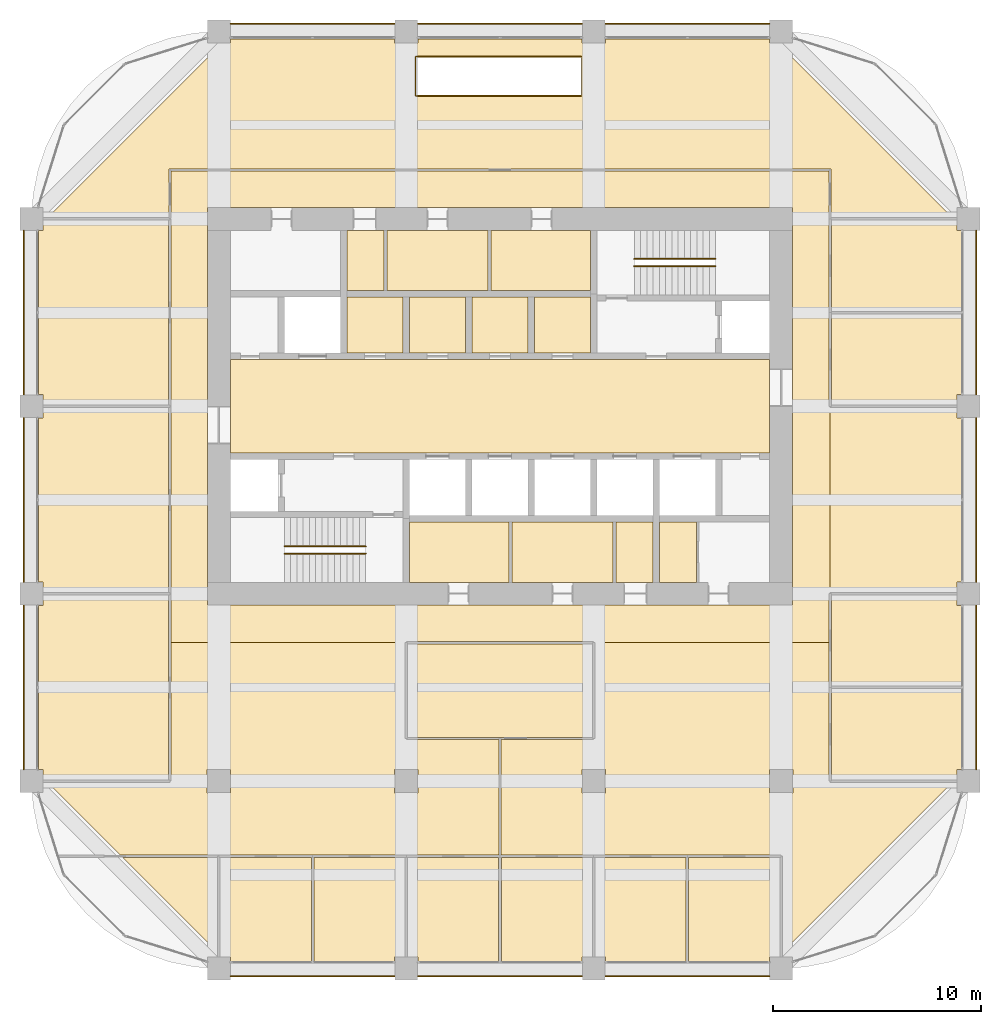
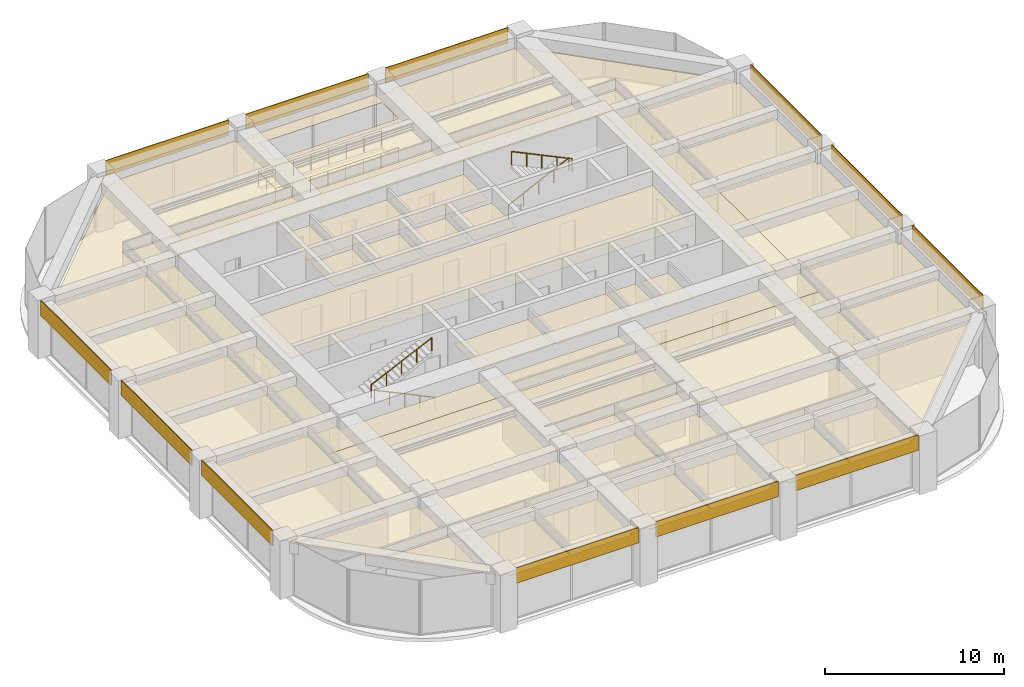
# One storey, part 44 of 44: 44 coverings, 5 railings.
"""IFC4 building model written with IfcOpenShell, lengths in metres."""

from ifc_helpers import new_model, si_unit, direction, frame, frame_2d, origin, origin_2d, place, context, subcontext, project, spatial, polyline, rectangle, circle, outline, extrude, material, layer, layer_set, type_object, element, save


model = new_model("IFC4")

# Units and contexts
model_context = context("Model", 3, precision=1e-05, world=origin(), true_north=direction((0.0, 1.0)))
body_context = subcontext(model_context, "Body", "Model", "MODEL_VIEW")
ifc_project = project(units=[si_unit("LENGTHUNIT", "METRE"), si_unit("AREAUNIT", "SQUARE_METRE"), si_unit("VOLUMEUNIT", "CUBIC_METRE"), si_unit("PLANEANGLEUNIT", "RADIAN"), si_unit("MASSUNIT", "GRAM", prefix="KILO")], contexts=[model_context])

# Site, building, storey
site_placement = place(None, origin())
site = spatial("IfcSite", under=ifc_project, at=site_placement, CompositionType="ELEMENT")
building_placement = place(site_placement, origin())
building = spatial("IfcBuilding", under=site, at=building_placement, Name="Zorevar Civic Tower", CompositionType="ELEMENT")
storey_placement = place(building_placement, frame((0.0, 0.0, 295.39990234375)))
storey = spatial("IfcBuildingStorey", under=building, at=storey_placement, Name="L72", CompositionType="ELEMENT", Elevation=295.39990234375)

# Railings
ifc_material_1 = material(Name="Laminated glass balustrade with black steel handrail", Category="steel")
railing_type_1 = type_object("IfcRailingType", Name="Balustrade BL1 1100", PredefinedType="BALUSTRADE", material=ifc_material_1)
railing_1_placement = place(storey_placement, frame((35.39990234375, 41.89990234375, 0.0)))
element("IfcRailing", 1, at=railing_1_placement, inside=storey, type_object=railing_type_1, Name="Balustrade BL1 stair void L72", PredefinedType="BALUSTRADE", context=body_context, shape_type="SweptSolid", body=[
    extrude(circle(Radius=0.02392578125, at=origin_2d()), frame((0.0, 0.0, 1.076171875), z_axis=(-1.0, 0.0, 0.0), x_axis=(0.0, -1.0, 0.0)), (0.0, 0.0, 1.0), 7.949951171875),
    extrude(circle(Radius=0.02392578125, at=origin_2d()), frame((-7.949951171875, 0.0, 1.076171875), z_axis=(0.0, 1.0, 0.0), x_axis=(-1.0, 0.0, 0.0)), (0.0, 0.0, 1.0), 1.900146484375),
    extrude(circle(Radius=0.02392578125, at=origin_2d()), frame((-7.949951171875, 1.900146484375, 1.076171875), z_axis=(1.0, 0.0, 0.0), x_axis=(0.0, 1.0, 0.0)), (0.0, 0.0, 1.0), 7.949951171875),
    extrude(circle(Radius=0.02099609375, at=origin_2d()), origin(), (0.0, 0.0, 1.0), 1.052001953125),
    extrude(circle(Radius=0.02099609375, at=origin_2d()), frame((-1.1357421875, 0.0, 0.0)), (0.0, 0.0, 1.0), 1.052001953125),
    extrude(circle(Radius=0.02099609375, at=origin_2d()), frame((-2.271484375, 0.0, 0.0)), (0.0, 0.0, 1.0), 1.052001953125),
    extrude(circle(Radius=0.02099609375, at=origin_2d()), frame((-3.4072265625, 0.0, 0.0)), (0.0, 0.0, 1.0), 1.052001953125),
    extrude(circle(Radius=0.02099609375, at=origin_2d()), frame((-4.542724609375, 0.0, 0.0)), (0.0, 0.0, 1.0), 1.052001953125),
    extrude(circle(Radius=0.02099609375, at=origin_2d()), frame((-5.678466796875, 0.0, 0.0)), (0.0, 0.0, 1.0), 1.052001953125),
    extrude(circle(Radius=0.02099609375, at=origin_2d()), frame((-6.814208984375, 0.0, 0.0)), (0.0, 0.0, 1.0), 1.052001953125),
    extrude(circle(Radius=0.02099609375, at=origin_2d()), frame((-7.949951171875, 0.0, 0.0)), (0.0, 0.0, 1.0), 1.052001953125),
    extrude(circle(Radius=0.02099609375, at=origin_2d()), frame((-7.949951171875, 0.9501953125, 0.0)), (0.0, 0.0, 1.0), 1.052001953125),
    extrude(circle(Radius=0.02099609375, at=origin_2d()), frame((-7.949951171875, 1.900146484375, 0.0)), (0.0, 0.0, 1.0), 1.052001953125),
    extrude(circle(Radius=0.02099609375, at=origin_2d()), frame((-6.814208984375, 1.900146484375, 0.0)), (0.0, 0.0, 1.0), 1.052001953125),
    extrude(circle(Radius=0.02099609375, at=origin_2d()), frame((-5.678466796875, 1.900146484375, 0.0)), (0.0, 0.0, 1.0), 1.052001953125),
    extrude(circle(Radius=0.02099609375, at=origin_2d()), frame((-4.542724609375, 1.900146484375, 0.0)), (0.0, 0.0, 1.0), 1.052001953125),
    extrude(circle(Radius=0.02099609375, at=origin_2d()), frame((-3.4072265625, 1.900146484375, 0.0)), (0.0, 0.0, 1.0), 1.052001953125),
    extrude(circle(Radius=0.02099609375, at=origin_2d()), frame((-2.271484375, 1.900146484375, 0.0)), (0.0, 0.0, 1.0), 1.052001953125),
    extrude(circle(Radius=0.02099609375, at=origin_2d()), frame((-1.1357421875, 1.900146484375, 0.0)), (0.0, 0.0, 1.0), 1.052001953125),
    extrude(circle(Radius=0.02099609375, at=origin_2d()), frame((0.0, 1.900146484375, 0.0)), (0.0, 0.0, 1.0), 1.052001953125),
])
ifc_material_2 = material(Name="Black steel handrail", Category="steel")
railing_type_2 = type_object("IfcRailingType", Name="Handrail HR1 900", PredefinedType="HANDRAIL", material=ifc_material_2)
railing_2_placement = place(storey_placement, frame((25.050048828125, 19.925048828125, 0.14306640625)))
element("IfcRailing", 2, at=railing_2_placement, inside=storey, type_object=railing_type_2, Name="Handrail HR1 ST1 L72", PredefinedType="HANDRAIL", context=body_context, shape_type="SweptSolid", body=[
    extrude(circle(Radius=0.02392578125, at=origin_2d()), frame((0.0, 0.0, 0.8759765625), z_axis=(-0.902885590262, 0.0, 0.429880926418), x_axis=(0.0, -1.0, 0.0)), (0.0, 0.0, 1.0), 4.319580078125),
    extrude(circle(Radius=0.02099609375, at=origin_2d()), origin(), (0.0, 0.0, 1.0), 0.851806640625),
    extrude(circle(Radius=0.02099609375, at=origin_2d()), frame((-0.97509765625, 0.0, 0.46435546875)), (0.0, 0.0, 1.0), 0.851806640625),
    extrude(circle(Radius=0.02099609375, at=origin_2d()), frame((-1.9501953125, 0.0, 0.928466796875)), (0.0, 0.0, 1.0), 0.851806640625),
    extrude(circle(Radius=0.02099609375, at=origin_2d()), frame((-2.925048828125, 0.0, 1.392578125)), (0.0, 0.0, 1.0), 0.851806640625),
    extrude(circle(Radius=0.02099609375, at=origin_2d()), frame((-3.900146484375, 0.0, 1.85693359375)), (0.0, 0.0, 1.0), 0.851806640625),
])
for number, where, name in (
    (3, (21.14990234375, 20.27490234375, 2.14306640625), "Handrail HR1 ST1 L72"),
    (4, (37.949951171875, 34.074951171875, 0.14306640625), "Handrail HR1 ST2 L72"),
):
    element("IfcRailing", number, at=place(storey_placement, frame(where)), inside=storey, type_object=railing_type_2, Name=name, PredefinedType="HANDRAIL", context=body_context, shape_type="SweptSolid", body=[
        extrude(circle(Radius=0.02392578125, at=origin_2d()), frame((0.0, 0.0, 0.8759765625), z_axis=(0.902885590262, 0.0, 0.429880926418), x_axis=(0.0, 1.0, 0.0)), (0.0, 0.0, 1.0), 4.319580078125),
        extrude(circle(Radius=0.02099609375, at=origin_2d()), origin(), (0.0, 0.0, 1.0), 0.851806640625),
        extrude(circle(Radius=0.02099609375, at=origin_2d()), frame((0.97509765625, 0.0, 0.46435546875)), (0.0, 0.0, 1.0), 0.851806640625),
        extrude(circle(Radius=0.02099609375, at=origin_2d()), frame((1.9501953125, 0.0, 0.928466796875)), (0.0, 0.0, 1.0), 0.851806640625),
        extrude(circle(Radius=0.02099609375, at=origin_2d()), frame((2.925048828125, 0.0, 1.392578125)), (0.0, 0.0, 1.0), 0.851806640625),
        extrude(circle(Radius=0.02099609375, at=origin_2d()), frame((3.900146484375, 0.0, 1.85693359375)), (0.0, 0.0, 1.0), 0.851806640625),
    ])
railing_3_placement = place(storey_placement, frame((41.85009765625, 33.72509765625, 2.14306640625)))
element("IfcRailing", 5, at=railing_3_placement, inside=storey, type_object=railing_type_2, Name="Handrail HR1 ST2 L72", PredefinedType="HANDRAIL", context=body_context, shape_type="SweptSolid", body=[
    extrude(circle(Radius=0.02392578125, at=origin_2d()), frame((0.0, 0.0, 0.8759765625), z_axis=(-0.902885590262, 0.0, 0.429880926418), x_axis=(0.0, -1.0, 0.0)), (0.0, 0.0, 1.0), 4.319580078125),
    extrude(circle(Radius=0.02099609375, at=origin_2d()), origin(), (0.0, 0.0, 1.0), 0.851806640625),
    extrude(circle(Radius=0.02099609375, at=origin_2d()), frame((-0.97509765625, 0.0, 0.46435546875)), (0.0, 0.0, 1.0), 0.851806640625),
    extrude(circle(Radius=0.02099609375, at=origin_2d()), frame((-1.9501953125, 0.0, 0.928466796875)), (0.0, 0.0, 1.0), 0.851806640625),
    extrude(circle(Radius=0.02099609375, at=origin_2d()), frame((-2.925048828125, 0.0, 1.392578125)), (0.0, 0.0, 1.0), 0.851806640625),
    extrude(circle(Radius=0.02099609375, at=origin_2d()), frame((-3.900146484375, 0.0, 1.85693359375)), (0.0, 0.0, 1.0), 0.851806640625),
])

# Coverings
ifc_material_3 = material(Name="Moisture-resistant gypsum board")
ifc_layer_1 = layer(ifc_material_3, 0.012451171875)
ifc_layer_set_1 = layer_set([ifc_layer_1], Name="Moisture-resistant ceiling SC3")
covering_type_1 = type_object("IfcCoveringType", Name="Moisture-resistant ceiling SC3", PredefinedType="CEILING", material=ifc_layer_set_1)
covering_1_placement = place(storey_placement, frame((0.0, 0.0, 3.0)))
element("IfcCovering", 6, at=covering_1_placement, inside=storey, type_object=covering_type_1, Name="Ceiling L72-05", PredefinedType="CEILING", context=body_context, shape_type="SweptSolid", body=[
    extrude(outline(polyline([(31.925048828125, 18.550048828125), (31.925048828125, 21.449951171875), (27.14990234375, 21.449951171875), (27.14990234375, 18.550048828125), (31.925048828125, 18.550048828125)])), origin(), (0.0, 0.0, 1.0), 0.0126953125),
])
covering_2_placement = place(storey_placement, frame((0.0, 0.0, 3.0)))
element("IfcCovering", 7, at=covering_2_placement, inside=storey, type_object=covering_type_1, Name="Ceiling L72-06", PredefinedType="CEILING", context=body_context, shape_type="SweptSolid", body=[
    extrude(outline(polyline([(36.925048828125, 18.550048828125), (36.925048828125, 21.449951171875), (32.074951171875, 21.449951171875), (32.074951171875, 18.550048828125), (36.925048828125, 18.550048828125)])), origin(), (0.0, 0.0, 1.0), 0.0126953125),
])
covering_3_placement = place(storey_placement, frame((0.0, 0.0, 3.0)))
element("IfcCovering", 8, at=covering_3_placement, inside=storey, type_object=covering_type_1, Name="Ceiling L72-07", PredefinedType="CEILING", context=body_context, shape_type="SweptSolid", body=[
    extrude(outline(polyline([(38.85009765625, 18.550048828125), (38.85009765625, 21.449951171875), (37.074951171875, 21.449951171875), (37.074951171875, 18.550048828125), (38.85009765625, 18.550048828125)])), origin(), (0.0, 0.0, 1.0), 0.0126953125),
])
covering_4_placement = place(storey_placement, frame((0.0, 0.0, 3.0)))
element("IfcCovering", 9, at=covering_4_placement, inside=storey, type_object=covering_type_1, Name="Ceiling L72-08", PredefinedType="CEILING", context=body_context, shape_type="SweptSolid", body=[
    extrude(outline(polyline([(35.85009765625, 32.550048828125), (35.85009765625, 35.449951171875), (31.074951171875, 35.449951171875), (31.074951171875, 32.550048828125), (35.85009765625, 32.550048828125)])), origin(), (0.0, 0.0, 1.0), 0.0126953125),
])
covering_5_placement = place(storey_placement, frame((0.0, 0.0, 3.0)))
element("IfcCovering", 10, at=covering_5_placement, inside=storey, type_object=covering_type_1, Name="Ceiling L72-09", PredefinedType="CEILING", context=body_context, shape_type="SweptSolid", body=[
    extrude(outline(polyline([(30.925048828125, 32.550048828125), (30.925048828125, 35.449951171875), (26.074951171875, 35.449951171875), (26.074951171875, 32.550048828125), (30.925048828125, 32.550048828125)])), origin(), (0.0, 0.0, 1.0), 0.0126953125),
])
covering_6_placement = place(storey_placement, frame((0.0, 0.0, 3.0)))
element("IfcCovering", 11, at=covering_6_placement, inside=storey, type_object=covering_type_1, Name="Ceiling L72-10", PredefinedType="CEILING", context=body_context, shape_type="SweptSolid", body=[
    extrude(outline(polyline([(25.925048828125, 32.550048828125), (25.925048828125, 35.449951171875), (24.14990234375, 35.449951171875), (24.14990234375, 32.550048828125), (25.925048828125, 32.550048828125)])), origin(), (0.0, 0.0, 1.0), 0.0126953125),
])
ifc_material_4 = material(Name="Black anodised aluminium spandrel panel", Category="aluminium")
ifc_layer_2 = layer(ifc_material_4, 0.050048828125)
ifc_layer_set_2 = layer_set([ifc_layer_2], Name="Spandrel cladding SP1")
covering_type_2 = type_object("IfcCoveringType", Name="Spandrel cladding SP1", PredefinedType="CLADDING", material=ifc_layer_set_2)
for number, where, z_axis, x_axis, name in (
    (12, (18.550048828125, -0.375, 2.9501953125), (0.0, 0.0, 1.0), (1.0, 0.0, 0.0), "Spandrel cladding L73"),
    (13, (27.550048828125, -0.375, 2.9501953125), (0.0, 0.0, 1.0), (1.0, 0.0, 0.0), "Spandrel cladding L73"),
    (14, (36.550048828125, -0.375, 2.9501953125), (0.0, 0.0, 1.0), (1.0, 0.0, 0.0), "Spandrel cladding L73"),
    (15, (18.550048828125, 45.375, 2.9501953125), (0.0, 0.0, 1.0), (1.0, 0.0, 0.0), "Spandrel cladding L73"),
    (16, (27.550048828125, 45.375, 2.9501953125), (0.0, 0.0, 1.0), (1.0, 0.0, 0.0), "Spandrel cladding L73"),
    (17, (36.550048828125, 45.375, 2.9501953125), (0.0, 0.0, 1.0), (1.0, 0.0, 0.0), "Spandrel cladding L73"),
    (18, (8.625, 9.550048828125, 2.9501953125), (0.0, 0.0, 1.0), (0.0, 1.0, 0.0), "Spandrel cladding L73"),
    (19, (8.625, 18.550048828125, 2.9501953125), (0.0, 0.0, 1.0), (0.0, 1.0, 0.0), "Spandrel cladding L73"),
    (20, (8.625, 27.550048828125, 2.9501953125), (0.0, 0.0, 1.0), (0.0, 1.0, 0.0), "Spandrel cladding L73"),
    (21, (54.375, 9.550048828125, 2.9501953125), (0.0, 0.0, 1.0), (0.0, 1.0, 0.0), "Spandrel cladding L73"),
    (22, (54.375, 18.550048828125, 2.9501953125), (0.0, 0.0, 1.0), (0.0, 1.0, 0.0), "Spandrel cladding L73"),
    (23, (54.375, 27.550048828125, 2.9501953125), (0.0, 0.0, 1.0), (0.0, 1.0, 0.0), "Spandrel cladding L73"),
):
    element("IfcCovering", number, at=place(storey_placement, frame(where, z_axis=z_axis, x_axis=x_axis)), inside=storey, type_object=covering_type_2, Name=name, PredefinedType="CLADDING", context=body_context, shape_type="SweptSolid", body=[
        extrude(rectangle(XDim=7.89990234375, YDim=0.050048828125, at=frame_2d((3.949951171875, 0.0))), origin(), (0.0, 0.0, 1.0), 1.0498046875),
    ])
ifc_material_5 = material(Name="Mineral fibre tiles on a concealed grid")
ifc_layer_3 = layer(ifc_material_5, 0.02001953125)
ifc_layer_set_3 = layer_set([ifc_layer_3], Name="Suspended ceiling SC1")
covering_type_3 = type_object("IfcCoveringType", Name="Suspended ceiling SC1", PredefinedType="CEILING", material=ifc_layer_set_3)
covering_7_placement = place(storey_placement, frame((0.0, 0.0, 3.0)))
element("IfcCovering", 24, at=covering_7_placement, inside=storey, type_object=covering_type_3, Name="Ceiling L72-11", PredefinedType="CEILING", context=body_context, shape_type="SweptSolid", body=[
    extrude(outline(polyline([(40.93994140625, 18.550048828125), (40.93994140625, 21.449951171875), (39.14990234375, 21.449951171875), (39.14990234375, 18.550048828125), (40.93994140625, 18.550048828125)])), origin(), (0.0, 0.0, 1.0), 0.02001953125),
])
covering_8_placement = place(storey_placement, frame((0.0, 0.0, 3.0)))
element("IfcCovering", 25, at=covering_8_placement, inside=storey, type_object=covering_type_3, Name="Ceiling L72-16", PredefinedType="CEILING", context=body_context, shape_type="SweptSolid", body=[
    extrude(outline(polyline([(44.449951171875, 24.75), (44.449951171875, 29.25), (18.550048828125, 29.25), (18.550048828125, 24.75), (44.449951171875, 24.75)])), origin(), (0.0, 0.0, 1.0), 0.02001953125),
])
covering_9_placement = place(storey_placement, frame((0.0, 0.0, 3.0)))
element("IfcCovering", 26, at=covering_9_placement, inside=storey, type_object=covering_type_3, Name="Ceiling L72-17", PredefinedType="CEILING", context=body_context, shape_type="SweptSolid", body=[
    extrude(outline(polyline([(35.85009765625, 29.550048828125), (35.85009765625, 32.25), (33.14990234375, 32.25), (33.14990234375, 29.550048828125), (35.85009765625, 29.550048828125)])), origin(), (0.0, 0.0, 1.0), 0.02001953125),
])
covering_10_placement = place(storey_placement, frame((0.0, 0.0, 3.0)))
element("IfcCovering", 27, at=covering_10_placement, inside=storey, type_object=covering_type_3, Name="Ceiling L72-18", PredefinedType="CEILING", context=body_context, shape_type="SweptSolid", body=[
    extrude(outline(polyline([(32.85009765625, 29.550048828125), (32.85009765625, 32.25), (30.14990234375, 32.25), (30.14990234375, 29.550048828125), (32.85009765625, 29.550048828125)])), origin(), (0.0, 0.0, 1.0), 0.02001953125),
])
covering_11_placement = place(storey_placement, frame((0.0, 0.0, 3.0)))
element("IfcCovering", 28, at=covering_11_placement, inside=storey, type_object=covering_type_3, Name="Ceiling L72-19", PredefinedType="CEILING", context=body_context, shape_type="SweptSolid", body=[
    extrude(outline(polyline([(29.85009765625, 29.550048828125), (29.85009765625, 32.25), (27.14990234375, 32.25), (27.14990234375, 29.550048828125), (29.85009765625, 29.550048828125)])), origin(), (0.0, 0.0, 1.0), 0.02001953125),
])
covering_12_placement = place(storey_placement, frame((0.0, 0.0, 3.0)))
element("IfcCovering", 29, at=covering_12_placement, inside=storey, type_object=covering_type_3, Name="Ceiling L72-20", PredefinedType="CEILING", context=body_context, shape_type="SweptSolid", body=[
    extrude(outline(polyline([(26.85009765625, 29.550048828125), (26.85009765625, 32.25), (24.14990234375, 32.25), (24.14990234375, 29.550048828125), (26.85009765625, 29.550048828125)])), origin(), (0.0, 0.0, 1.0), 0.02001953125),
])
covering_13_placement = place(storey_placement, frame((0.0, 0.0, 3.0)))
element("IfcCovering", 30, at=covering_13_placement, inside=storey, type_object=covering_type_3, Name="Ceiling L72-21", PredefinedType="CEILING", context=body_context, shape_type="SweptSolid", body=[
    extrude(outline(polyline([(9.35009765625, 9.56005859375), (9.35009765625, 17.43994140625), (9.56005859375, 17.43994140625), (9.56005859375, 17.93994140625), (15.590087890625, 17.93994140625), (15.590087890625, 9.06005859375), (9.647216796875, 9.06005859375), (9.56005859375, 9.147216796875), (9.56005859375, 9.56005859375), (9.35009765625, 9.56005859375)])), origin(), (0.0, 0.0, 1.0), 0.02001953125),
])
covering_14_placement = place(storey_placement, frame((0.0, 0.0, 3.0)))
element("IfcCovering", 31, at=covering_14_placement, inside=storey, type_object=covering_type_3, Name="Ceiling L72-22", PredefinedType="CEILING", context=body_context, shape_type="SweptSolid", body=[
    extrude(outline(polyline([(9.56005859375, 18.56005859375), (9.35009765625, 18.56005859375), (9.35009765625, 26.43994140625), (9.56005859375, 26.43994140625), (9.56005859375, 26.93994140625), (15.590087890625, 26.93994140625), (15.590087890625, 18.06005859375), (9.56005859375, 18.06005859375), (9.56005859375, 18.56005859375)])), origin(), (0.0, 0.0, 1.0), 0.02001953125),
])
covering_15_placement = place(storey_placement, frame((0.0, 0.0, 3.0)))
element("IfcCovering", 32, at=covering_15_placement, inside=storey, type_object=covering_type_3, Name="Ceiling L72-23", PredefinedType="CEILING", context=body_context, shape_type="SweptSolid", body=[
    extrude(outline(polyline([(9.35009765625, 27.56005859375), (9.35009765625, 35.43994140625), (9.56005859375, 35.43994140625), (9.56005859375, 35.852783203125), (9.647216796875, 35.93994140625), (15.590087890625, 35.93994140625), (15.590087890625, 27.06005859375), (9.56005859375, 27.06005859375), (9.56005859375, 27.56005859375), (9.35009765625, 27.56005859375)])), origin(), (0.0, 0.0, 1.0), 0.02001953125),
])
covering_16_placement = place(storey_placement, frame((0.0, 0.0, 3.0)))
element("IfcCovering", 33, at=covering_16_placement, inside=storey, type_object=covering_type_3, Name="Ceiling L72-24", PredefinedType="CEILING", context=body_context, shape_type="SweptSolid", body=[
    extrude(outline(polyline([(53.64990234375, 13.43994140625), (53.64990234375, 9.56005859375), (53.43994140625, 9.56005859375), (53.43994140625, 9.147216796875), (53.352783203125, 9.06005859375), (47.409912109375, 9.06005859375), (47.409912109375, 13.43994140625), (53.64990234375, 13.43994140625)])), origin(), (0.0, 0.0, 1.0), 0.02001953125),
])
covering_17_placement = place(storey_placement, frame((0.0, 0.0, 3.0)))
element("IfcCovering", 34, at=covering_17_placement, inside=storey, type_object=covering_type_3, Name="Ceiling L72-25", PredefinedType="CEILING", context=body_context, shape_type="SweptSolid", body=[
    extrude(outline(polyline([(47.409912109375, 17.93994140625), (53.43994140625, 17.93994140625), (53.43994140625, 17.43994140625), (53.64990234375, 17.43994140625), (53.64990234375, 13.56005859375), (47.409912109375, 13.56005859375), (47.409912109375, 17.93994140625)])), origin(), (0.0, 0.0, 1.0), 0.02001953125),
])
covering_18_placement = place(storey_placement, frame((0.0, 0.0, 3.0)))
element("IfcCovering", 35, at=covering_18_placement, inside=storey, type_object=covering_type_3, Name="Ceiling L72-26", PredefinedType="CEILING", context=body_context, shape_type="SweptSolid", body=[
    extrude(outline(polyline([(47.409912109375, 31.43994140625), (53.64990234375, 31.43994140625), (53.64990234375, 27.56005859375), (53.43994140625, 27.56005859375), (53.43994140625, 27.06005859375), (47.409912109375, 27.06005859375), (47.409912109375, 31.43994140625)])), origin(), (0.0, 0.0, 1.0), 0.02001953125),
])
covering_19_placement = place(storey_placement, frame((0.0, 0.0, 3.0)))
element("IfcCovering", 36, at=covering_19_placement, inside=storey, type_object=covering_type_3, Name="Ceiling L72-27", PredefinedType="CEILING", context=body_context, shape_type="SweptSolid", body=[
    extrude(outline(polyline([(53.352783203125, 35.93994140625), (53.43994140625, 35.852783203125), (53.43994140625, 35.43994140625), (53.64990234375, 35.43994140625), (53.64990234375, 31.56005859375), (47.409912109375, 31.56005859375), (47.409912109375, 35.93994140625), (53.352783203125, 35.93994140625)])), origin(), (0.0, 0.0, 1.0), 0.02001953125),
])
covering_20_placement = place(storey_placement, frame((0.0, 0.0, 3.0)))
element("IfcCovering", 37, at=covering_20_placement, inside=storey, type_object=covering_type_3, Name="Ceiling L72-28", PredefinedType="CEILING", context=body_context, shape_type="SweptSolid", body=[
    extrude(outline(polyline([(22.43994140625, 0.35009765625), (18.56005859375, 0.35009765625), (18.56005859375, 0.56005859375), (18.147216796875, 0.56005859375), (18.06005859375, 0.647216796875), (18.06005859375, 5.340087890625), (22.43994140625, 5.340087890625), (22.43994140625, 0.35009765625)])), origin(), (0.0, 0.0, 1.0), 0.02001953125),
])
covering_21_placement = place(storey_placement, frame((0.0, 0.0, 3.0)))
element("IfcCovering", 38, at=covering_21_placement, inside=storey, type_object=covering_type_3, Name="Ceiling L72-29", PredefinedType="CEILING", context=body_context, shape_type="SweptSolid", body=[
    extrude(outline(polyline([(26.93994140625, 5.340087890625), (26.93994140625, 0.56005859375), (26.43994140625, 0.56005859375), (26.43994140625, 0.35009765625), (22.56005859375, 0.35009765625), (22.56005859375, 5.340087890625), (26.93994140625, 5.340087890625)])), origin(), (0.0, 0.0, 1.0), 0.02001953125),
])
covering_22_placement = place(storey_placement, frame((0.0, 0.0, 3.0)))
element("IfcCovering", 39, at=covering_22_placement, inside=storey, type_object=covering_type_3, Name="Ceiling L72-30", PredefinedType="CEILING", context=body_context, shape_type="SweptSolid", body=[
    extrude(outline(polyline([(31.43994140625, 5.340087890625), (31.43994140625, 0.35009765625), (27.56005859375, 0.35009765625), (27.56005859375, 0.56005859375), (27.06005859375, 0.56005859375), (27.06005859375, 5.340087890625), (31.43994140625, 5.340087890625)])), origin(), (0.0, 0.0, 1.0), 0.02001953125),
])
covering_23_placement = place(storey_placement, frame((0.0, 0.0, 3.0)))
element("IfcCovering", 40, at=covering_23_placement, inside=storey, type_object=covering_type_3, Name="Ceiling L72-31", PredefinedType="CEILING", context=body_context, shape_type="SweptSolid", body=[
    extrude(outline(polyline([(35.93994140625, 5.340087890625), (35.93994140625, 0.56005859375), (35.43994140625, 0.56005859375), (35.43994140625, 0.35009765625), (31.56005859375, 0.35009765625), (31.56005859375, 5.340087890625), (35.93994140625, 5.340087890625)])), origin(), (0.0, 0.0, 1.0), 0.02001953125),
])
covering_24_placement = place(storey_placement, frame((0.0, 0.0, 3.0)))
element("IfcCovering", 41, at=covering_24_placement, inside=storey, type_object=covering_type_3, Name="Ceiling L72-32", PredefinedType="CEILING", context=body_context, shape_type="SweptSolid", body=[
    extrude(outline(polyline([(40.43994140625, 5.340087890625), (40.43994140625, 0.35009765625), (36.56005859375, 0.35009765625), (36.56005859375, 0.56005859375), (36.06005859375, 0.56005859375), (36.06005859375, 5.340087890625), (40.43994140625, 5.340087890625)])), origin(), (0.0, 0.0, 1.0), 0.02001953125),
])
covering_25_placement = place(storey_placement, frame((0.0, 0.0, 3.0)))
element("IfcCovering", 42, at=covering_25_placement, inside=storey, type_object=covering_type_3, Name="Ceiling L72-33", PredefinedType="CEILING", context=body_context, shape_type="SweptSolid", body=[
    extrude(outline(polyline([(44.93994140625, 0.647216796875), (44.852783203125, 0.56005859375), (44.43994140625, 0.56005859375), (44.43994140625, 0.35009765625), (40.56005859375, 0.35009765625), (40.56005859375, 5.340087890625), (44.93994140625, 5.340087890625), (44.93994140625, 0.647216796875)])), origin(), (0.0, 0.0, 1.0), 0.02001953125),
])
covering_26_placement = place(storey_placement, frame((0.0, 0.0, 3.0)))
element("IfcCovering", 43, at=covering_26_placement, inside=storey, type_object=covering_type_3, Name="Ceiling L72-34", PredefinedType="CEILING", context=body_context, shape_type="SweptSolid", body=[
    extrude(outline(polyline([(27.06005859375, 15.590087890625), (35.93994140625, 15.590087890625), (35.93994140625, 11.10009765625), (27.06005859375, 11.10009765625), (27.06005859375, 15.590087890625)])), origin(), (0.0, 0.0, 1.0), 0.02001953125),
])
covering_27_placement = place(storey_placement, frame((0.0, 0.0, 3.0)))
element("IfcCovering", 44, at=covering_27_placement, inside=storey, type_object=covering_type_3, Name="Ceiling L72-35", PredefinedType="CEILING", context=body_context, shape_type="SweptSolid", body=[
    extrude(outline(polyline([(17.93994140625, 5.340087890625), (17.93994140625, 0.76708984375), (13.3671875, 5.340087890625), (17.93994140625, 5.340087890625)])), origin(), (0.0, 0.0, 1.0), 0.02001953125),
])
covering_28_placement = place(storey_placement, frame((0.0, 0.0, 3.0)))
element("IfcCovering", 45, at=covering_28_placement, inside=storey, type_object=covering_type_3, Name="Ceiling L72-36", PredefinedType="CEILING", context=body_context, shape_type="SweptSolid", body=[
    extrude(outline(polyline([(15.7099609375, 15.64990234375), (15.7099609375, 36.0), (15.64990234375, 36.0), (15.64990234375, 36.010009765625), (15.699951171875, 36.010009765625), (15.699951171875, 38.300048828125), (47.300048828125, 38.300048828125), (47.300048828125, 36.0), (47.2900390625, 36.0), (47.2900390625, 27.0), (47.35009765625, 27.0), (47.35009765625, 18.0), (47.2900390625, 18.0), (47.2900390625, 15.64990234375), (36.0, 15.64990234375), (36.0, 15.7099609375), (27.0, 15.7099609375), (27.0, 15.64990234375), (15.7099609375, 15.64990234375)]), holes=[polyline([(17.449951171875, 36.550048828125), (17.449951171875, 17.449951171875), (45.550048828125, 17.449951171875), (45.550048828125, 36.550048828125), (17.449951171875, 36.550048828125)])]), origin(), (0.0, 0.0, 1.0), 0.02001953125),
])
covering_29_placement = place(storey_placement, frame((0.0, 0.0, 3.0)))
element("IfcCovering", 46, at=covering_29_placement, inside=storey, type_object=covering_type_3, Name="Ceiling L72-37", PredefinedType="CEILING", context=body_context, shape_type="SweptSolid", body=[
    extrude(outline(polyline([(53.64990234375, 18.56005859375), (53.43994140625, 18.56005859375), (53.43994140625, 18.06005859375), (47.35009765625, 18.06005859375), (47.35009765625, 26.93994140625), (53.43994140625, 26.93994140625), (53.43994140625, 26.43994140625), (53.64990234375, 26.43994140625), (53.64990234375, 18.56005859375)])), origin(), (0.0, 0.0, 1.0), 0.02001953125),
])
covering_30_placement = place(storey_placement, frame((0.0, 0.0, 3.0)))
element("IfcCovering", 47, at=covering_30_placement, inside=storey, type_object=covering_type_3, Name="Ceiling L72-38", PredefinedType="CEILING", context=body_context, shape_type="SweptSolid", body=[
    extrude(outline(polyline([(18.56005859375, 44.43994140625), (18.56005859375, 44.64794921875), (26.43994140625, 44.64794921875), (26.43994140625, 44.43994140625), (27.56005859375, 44.43994140625), (27.56005859375, 44.64794921875), (35.43994140625, 44.64794921875), (35.43994140625, 44.43994140625), (36.56005859375, 44.43994140625), (36.56005859375, 44.64794921875), (44.43994140625, 44.64794921875), (44.43994140625, 44.43994140625), (44.852783203125, 44.43994140625), (53.23193359375, 36.06103515625), (47.40087890625, 36.06103515625), (47.402099609375, 38.39990234375), (47.39990234375, 38.402099609375), (15.599853515625, 38.402099609375), (15.597900390625, 38.39990234375), (15.597900390625, 36.551025390625), (15.60009765625, 36.550048828125), (15.60009765625, 36.06005859375), (9.76708984375, 36.06005859375), (18.147216796875, 44.43994140625), (18.56005859375, 44.43994140625)]), holes=[polyline([(27.498046875, 41.94921875), (27.5, 41.947998046875), (35.400390625, 41.947998046875), (35.402099609375, 41.949951171875), (35.40185546875, 43.75048828125), (35.39990234375, 43.751953125), (27.49951171875, 43.751953125), (27.498046875, 43.75), (27.498046875, 41.94921875)])]), origin(), (0.0, 0.0, 1.0), 0.02001953125),
])
covering_31_placement = place(storey_placement, frame((0.0, 0.0, 3.0)))
element("IfcCovering", 48, at=covering_31_placement, inside=storey, type_object=covering_type_3, Name="Ceiling L72-39", PredefinedType="CEILING", context=body_context, shape_type="SweptSolid", body=[
    extrude(outline(polyline([(15.7099609375, 15.64990234375), (26.93994140625, 15.64990234375), (26.93994140625, 11.050048828125), (27.0, 11.050048828125), (27.0, 11.0), (31.449951171875, 11.0), (31.449951171875, 5.4599609375), (13.2470703125, 5.4599609375), (9.76708984375, 8.93994140625), (15.64990234375, 8.93994140625), (15.64990234375, 9.0), (15.7099609375, 9.0), (15.7099609375, 15.64990234375)]), holes=[polyline([(17.43994140625, 8.43994140625), (18.56005859375, 8.43994140625), (18.56005859375, 9.56005859375), (17.43994140625, 9.56005859375), (17.43994140625, 8.43994140625)]), polyline([(26.43994140625, 9.56005859375), (26.43994140625, 8.43994140625), (27.56005859375, 8.43994140625), (27.56005859375, 9.56005859375), (26.43994140625, 9.56005859375)])]), origin(), (0.0, 0.0, 1.0), 0.02001953125),
])
covering_32_placement = place(storey_placement, frame((0.0, 0.0, 3.0)))
element("IfcCovering", 49, at=covering_32_placement, inside=storey, type_object=covering_type_3, Name="Ceiling L72-40", PredefinedType="CEILING", context=body_context, shape_type="SweptSolid", body=[
    extrude(outline(polyline([(45.06005859375, 5.39990234375), (45.0, 5.39990234375), (45.0, 5.4599609375), (31.550048828125, 5.4599609375), (31.550048828125, 11.0), (36.0, 11.0), (36.0, 11.050048828125), (36.06005859375, 11.050048828125), (36.06005859375, 15.64990234375), (47.2900390625, 15.64990234375), (47.2900390625, 9.0), (47.35009765625, 9.0), (47.35009765625, 8.93994140625), (53.23291015625, 8.93994140625), (45.06005859375, 0.76708984375), (45.06005859375, 5.39990234375)]), holes=[polyline([(36.56005859375, 9.56005859375), (35.43994140625, 9.56005859375), (35.43994140625, 8.43994140625), (36.56005859375, 8.43994140625), (36.56005859375, 9.56005859375)]), polyline([(44.43994140625, 8.43994140625), (45.56005859375, 8.43994140625), (45.56005859375, 9.56005859375), (44.43994140625, 9.56005859375), (44.43994140625, 8.43994140625)])]), origin(), (0.0, 0.0, 1.0), 0.02001953125),
])

save(model, "model.ifc")
